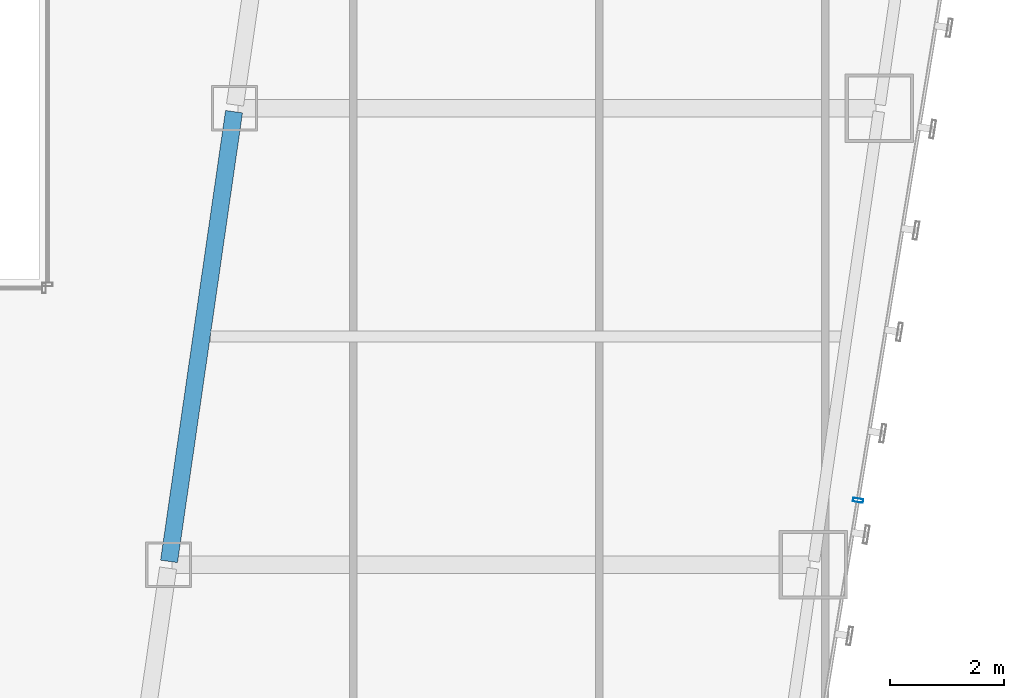
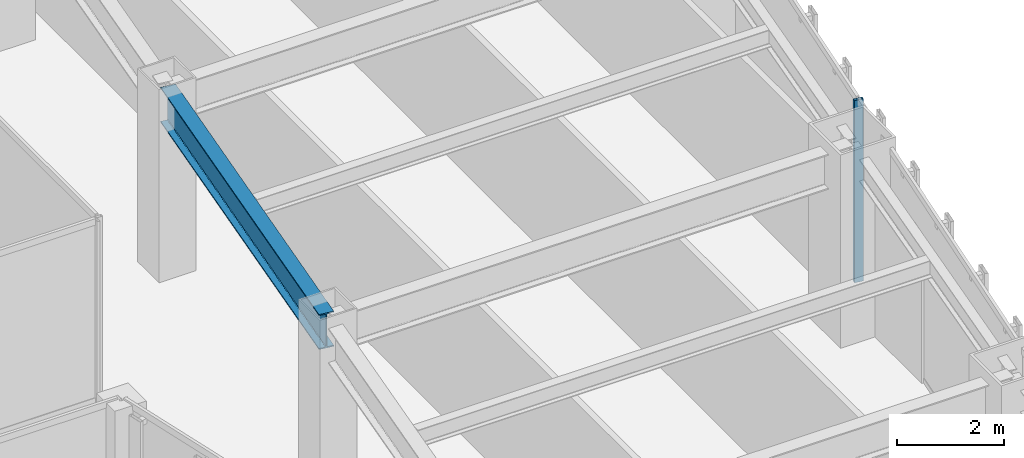
# One storey, part 17 of 47: 1 beam, 1 member, 1 element without a shape of its own.
"""IFC4 building model written with IfcOpenShell, lengths in metres."""

from ifc_helpers import new_model, si_unit, direction, frame, origin, origin_2d, place, context, subcontext, project, spatial, hollow_rectangle, i_section, extrude, material, material_profile, profile_set, type_object, element, aggregate, save


model = new_model("IFC4")

# Units and contexts
model_context = context("Model", 3, precision=1e-05, world=origin(), true_north=direction((0.0, 1.0)))
body_context = subcontext(model_context, "Body", "Model", "MODEL_VIEW")
ifc_project = project(units=[si_unit("LENGTHUNIT", "METRE"), si_unit("AREAUNIT", "SQUARE_METRE"), si_unit("VOLUMEUNIT", "CUBIC_METRE"), si_unit("PLANEANGLEUNIT", "RADIAN"), si_unit("MASSUNIT", "GRAM", prefix="KILO")], contexts=[model_context])

# Site, building, storey
site_placement = place(None, origin())
site = spatial("IfcSite", under=ifc_project, at=site_placement, CompositionType="ELEMENT")
building_placement = place(site_placement, origin())
building = spatial("IfcBuilding", under=site, at=building_placement, Name="Saevonmaru Cultural Tower", CompositionType="ELEMENT")
storey_placement = place(building_placement, frame((0.0, 0.0, 92.800048828125)))
storey = spatial("IfcBuildingStorey", under=building, at=storey_placement, Name="L19", CompositionType="ELEMENT", Elevation=92.800048828125)

# Beam
ifc_material_1 = material(Name="Steel SM420", Category="steel")
ifc_material_profile_1 = material_profile(ifc_material_1, i_section(OverallWidth=0.300048828125, OverallDepth=0.800048828125, WebThickness=0.013916015625, FlangeThickness=0.02587890625, FilletRadius=0.028076171875, at=origin_2d()), Name="H-800x300x14x26")
ifc_profile_set_1 = profile_set([ifc_material_profile_1], Name="Steel SM420")
beam_type = type_object("IfcBeamType", Name="BM-G-H800", PredefinedType="BEAM", material=ifc_profile_set_1)
beam_placement = place(storey_placement, frame((38.08056640625, 16.059326171875, 3.75), z_axis=(0.143022161059, 0.989719486241, 0.0), x_axis=(-0.989719486241, 0.143022161059, 0.0)))
element("IfcBeam", 1, at=beam_placement, inside=storey, type_object=beam_type, Name="L19 East Atrium Girder 3", PredefinedType="BEAM", context=body_context, shape_type="SweptSolid", body=[
    extrude(i_section(OverallWidth=0.300048828125, OverallDepth=0.800048828125, WebThickness=0.013916015625, FlangeThickness=0.02587890625, FilletRadius=0.028076171875, at=origin_2d()), origin(), (0.0, 0.0, 1.0), 7.963134765625),
])

# Curtain wall, member
ifc_material_2 = material(Name="Satin Bronze Anodised Aluminium", Category="aluminium")
curtain_wall_type = type_object("IfcCurtainWallType", Name="CW-TYP-A", PredefinedType="NOTDEFINED", material=ifc_material_2)
curtain_wall_placement = place(storey_placement, origin())
curtain_wall = element("IfcCurtainWall", 2, at=curtain_wall_placement, inside=storey, type_object=curtain_wall_type, Name="L19 Unitised Curtain Wall E8", PredefinedType="NOTDEFINED")
ifc_material_profile_2 = material_profile(ifc_material_2, hollow_rectangle(XDim=0.06494140625, YDim=0.179931640625, WallThickness=0.00390625, at=origin_2d()), Name="ALU-MULL-180x65x4")
ifc_profile_set_2 = profile_set([ifc_material_profile_2], Name="Satin Bronze Anodised Aluminium")
member_type = type_object("IfcMemberType", Name="ML-CW-180x65", PredefinedType="MULLION", material=ifc_profile_set_2)
member_placement = place(storey_placement, frame((50.15478515625, 17.129638671875, 0.0), z_axis=(0.0, 0.0, 1.0), x_axis=(0.161708868641, 0.986838508472, 0.0)))
member = element("IfcMember", 3, at=member_placement, type_object=member_type, Name="CW-TW-L19-E8 mullion 2", PredefinedType="MULLION", context=body_context, shape_type="SweptSolid", body=[
    extrude(hollow_rectangle(XDim=0.06494140625, YDim=0.179931640625, WallThickness=0.00390625, at=origin_2d()), origin(), (0.0, 0.0, 1.0), 4.14990234375),
])
aggregate(curtain_wall, [member])

save(model, "model.ifc")
